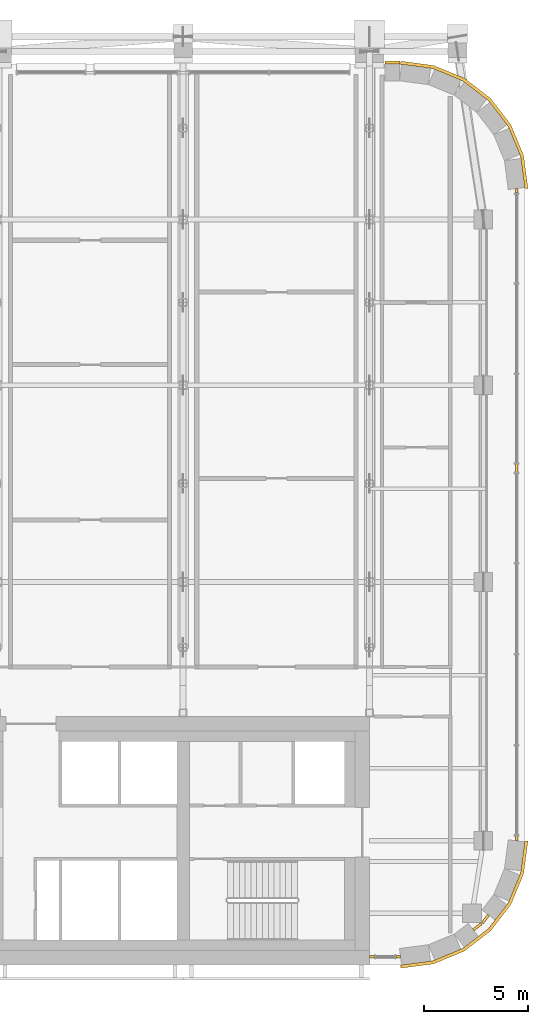
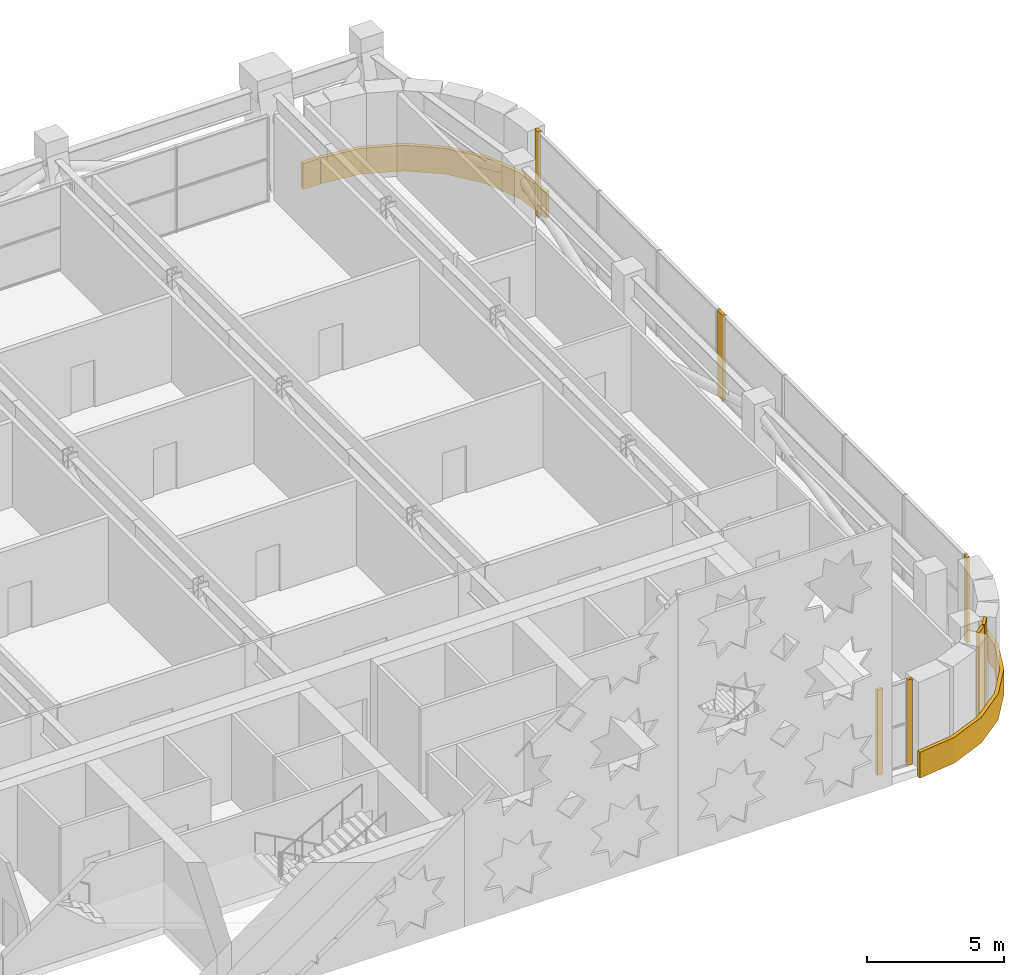
# One storey, part 26 of 26: 10 coverings.
"""IFC4 building model written with IfcOpenShell, lengths in metres."""

from ifc_helpers import new_model, si_unit, direction, frame, origin, origin_2d, place, context, subcontext, project, spatial, polyline, rectangle, outline, extrude, material, layer, layer_set, type_object, element, save


model = new_model("IFC4")

# Units and contexts
model_context = context("Model", 3, precision=1e-05, world=origin(), true_north=direction((0.0, 1.0)))
body_context = subcontext(model_context, "Body", "Model", "MODEL_VIEW")
ifc_project = project(units=[si_unit("LENGTHUNIT", "METRE"), si_unit("AREAUNIT", "SQUARE_METRE"), si_unit("VOLUMEUNIT", "CUBIC_METRE"), si_unit("PLANEANGLEUNIT", "RADIAN"), si_unit("MASSUNIT", "GRAM", prefix="KILO")], contexts=[model_context])

# Site, building, storey
site_placement = place(None, origin())
site = spatial("IfcSite", under=ifc_project, at=site_placement, CompositionType="ELEMENT")
building_placement = place(site_placement, origin())
building = spatial("IfcBuilding", under=site, at=building_placement, Name="Zellij Exchange Tower", CompositionType="ELEMENT")
storey_placement = place(building_placement, frame((0.0, 0.0, 216.5)))
storey = spatial("IfcBuildingStorey", under=building, at=storey_placement, Name="L50", CompositionType="ELEMENT", Elevation=216.5)

# Coverings
ifc_material = material(Name="Limestone cladding", Category="masonry")
ifc_layer_1 = layer(ifc_material, 0.14990234375)
ifc_layer_set_1 = layer_set([ifc_layer_1], Name="Limestone cladding")
covering_type_1 = type_object("IfcCoveringType", Name="ENV-CV1 Stone spandrel band 150", PredefinedType="CLADDING", material=ifc_layer_set_1)
covering_1_placement = place(storey_placement, frame((0.0, 0.0, -0.35009765625)))
element("IfcCovering", 1, at=covering_1_placement, inside=storey, type_object=covering_type_1, Name="Stone spandrel band", PredefinedType="CLADDING", context=body_context, shape_type="SweptSolid", body=[
    extrude(outline(polyline([(28.473876953125, 29.5), (27.75, 29.5), (27.75, 29.64990234375), (28.483642578125, 29.64990234375), (28.473876953125, 29.5)])), origin(), (0.0, 0.0, 1.0), 1.150146484375),
])
covering_2_placement = place(storey_placement, frame((0.0, 0.0, -0.35009765625)))
element("IfcCovering", 2, at=covering_2_placement, inside=storey, type_object=covering_type_1, Name="Stone spandrel band", PredefinedType="CLADDING", context=body_context, shape_type="SweptSolid", body=[
    extrude(outline(polyline([(28.5, -14.0), (30.052978515625, -13.795654296875), (31.5, -13.1962890625), (32.74267578125, -12.24267578125), (33.6962890625, -11.0), (34.295654296875, -9.552978515625), (34.5, -8.0), (34.64990234375, -8.009765625), (34.441650390625, -9.592041015625), (33.8271484375, -11.07568359375), (32.849609375, -12.349609375), (31.57568359375, -13.3271484375), (30.092041015625, -13.941650390625), (28.509765625, -14.14990234375), (28.5, -14.0)])), origin(), (0.0, 0.0, 1.0), 1.150146484375),
])
covering_3_placement = place(storey_placement, frame((0.0, 0.0, -0.35009765625)))
element("IfcCovering", 3, at=covering_3_placement, inside=storey, type_object=covering_type_1, Name="Stone spandrel band", PredefinedType="CLADDING", context=body_context, shape_type="SweptSolid", body=[
    extrude(outline(polyline([(34.5, 23.5), (34.295654296875, 25.052978515625), (33.6962890625, 26.5), (32.74267578125, 27.74267578125), (31.5, 28.6962890625), (30.052978515625, 29.295654296875), (28.5, 29.5), (28.509765625, 29.64990234375), (30.092041015625, 29.441650390625), (31.57568359375, 28.8271484375), (32.849609375, 27.849609375), (33.8271484375, 26.57568359375), (34.441650390625, 25.092041015625), (34.64990234375, 23.509765625), (34.5, 23.5)])), origin(), (0.0, 0.0, 1.0), 1.150146484375),
])
ifc_layer_2 = layer(ifc_material, 0.1201171875)
ifc_layer_set_2 = layer_set([ifc_layer_2], Name="Limestone cladding")
covering_type_2 = type_object("IfcCoveringType", Name="ENV-CV18 Glazing closer 120", PredefinedType="CLADDING", material=ifc_layer_set_2)
for number, where, z_axis, x_axis, name in (
    (4, (32.59765625, -11.7744140625, 0.0), (0.0, 0.0, 1.0), (-0.608809891071, -0.793316151692, 0.0), "Glazing closer"),
    (5, (32.209228515625, -12.147705078125, 0.0), (0.0, 0.0, 1.0), (0.793316151692, 0.608809891071, 0.0), "Glazing closer"),
):
    element("IfcCovering", number, at=place(storey_placement, frame(where, z_axis=z_axis, x_axis=x_axis)), inside=storey, type_object=covering_type_2, Name=name, PredefinedType="CLADDING", context=body_context, shape_type="SweptSolid", body=[
        extrude(rectangle(XDim=0.492919921875, YDim=0.1201171875, at=origin_2d()), origin(), (0.0, 0.0, 1.0), 3.800048828125),
    ])
covering_4_placement = place(storey_placement, frame((34.10009765625, 9.99609375, 0.0), z_axis=(0.0, 0.0, 1.0), x_axis=(0.0, 1.0, 0.0)))
element("IfcCovering", 6, at=covering_4_placement, inside=storey, type_object=covering_type_2, Name="Glazing closer", PredefinedType="CLADDING", context=body_context, shape_type="SweptSolid", body=[
    extrude(rectangle(XDim=0.39990234375, YDim=0.1201171875, at=origin_2d()), origin(), (0.0, 0.0, 1.0), 3.800048828125),
])
covering_5_placement = place(storey_placement, frame((27.125, -13.60009765625, 0.0), z_axis=(0.0, 0.0, 1.0), x_axis=(-1.0, 0.0, 0.0)))
element("IfcCovering", 7, at=covering_5_placement, inside=storey, type_object=covering_type_2, Name="Glazing closer", PredefinedType="CLADDING", context=body_context, shape_type="SweptSolid", body=[
    extrude(rectangle(XDim=0.25, YDim=0.1201171875, at=origin_2d()), origin(), (0.0, 0.0, 1.0), 3.800048828125),
])
for number, where, z_axis, x_axis, name in (
    (8, (34.10009765625, -7.883056640625, 0.0), (0.0, 0.0, 1.0), (0.0, -1.0, 0.0), "Glazing closer"),
    (9, (34.10009765625, 23.383056640625, 0.0), (0.0, 0.0, 1.0), (0.0, 1.0, 0.0), "Glazing closer"),
    (10, (28.383056640625, -13.60009765625, 0.0), (0.0, 0.0, 1.0), (1.0, 0.0, 0.0), "Glazing closer"),
):
    element("IfcCovering", number, at=place(storey_placement, frame(where, z_axis=z_axis, x_axis=x_axis)), inside=storey, type_object=covering_type_2, Name=name, PredefinedType="CLADDING", context=body_context, shape_type="SweptSolid", body=[
        extrude(rectangle(XDim=0.218505859375, YDim=0.1201171875, at=origin_2d()), origin(), (0.0, 0.0, 1.0), 3.800048828125),
    ])

save(model, "model.ifc")
